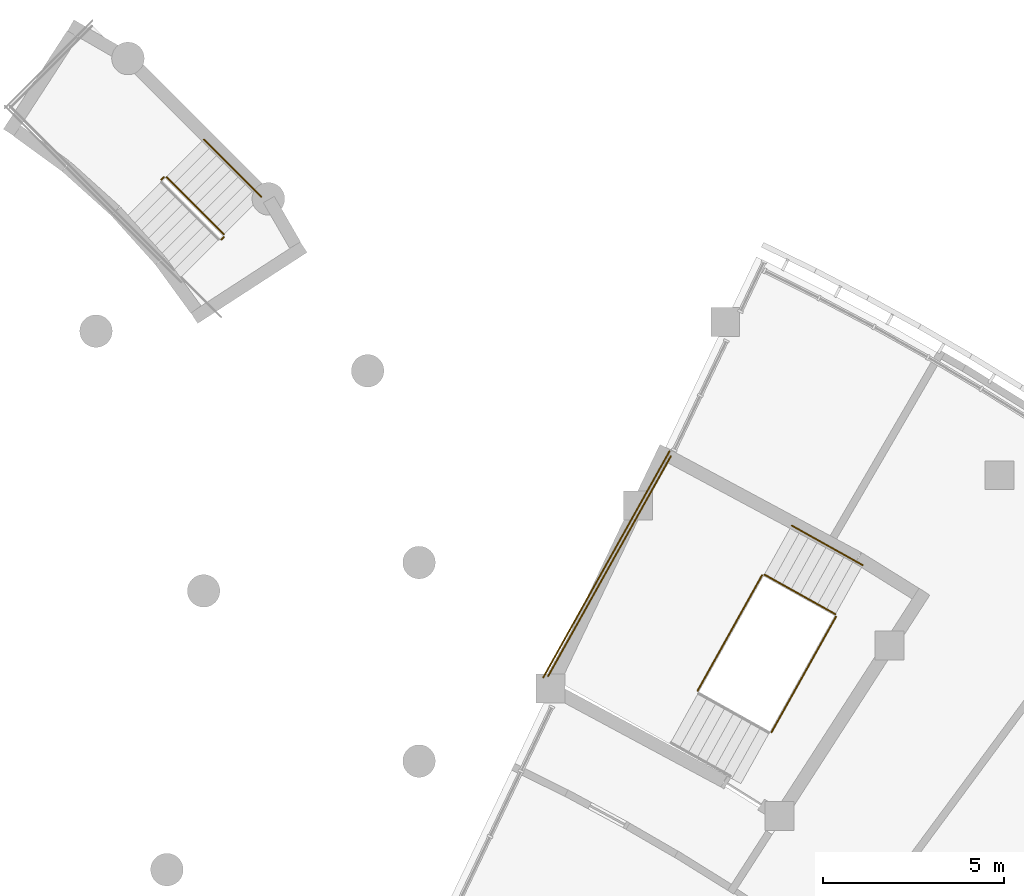
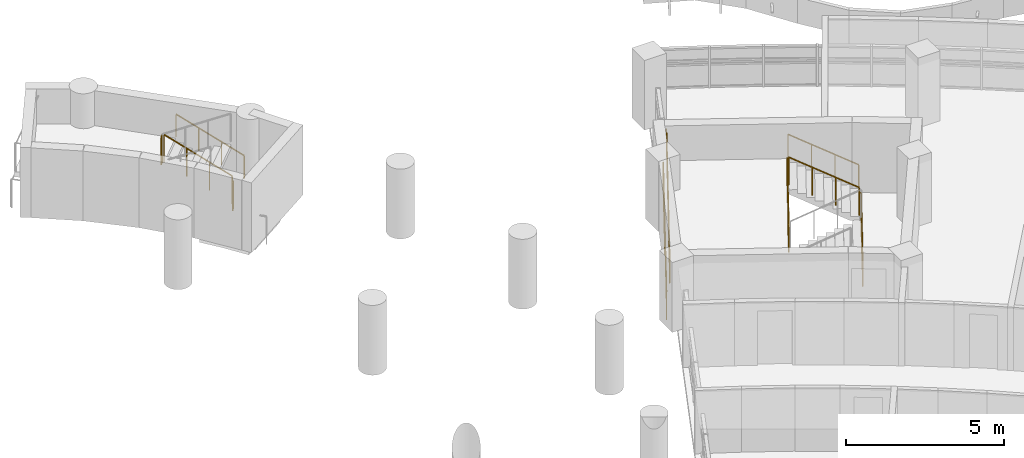
# One storey, part 81 of 89: 10 railings.
"""IFC4 building model written with IfcOpenShell, lengths in metres."""

import ifcopenshell
import ifcopenshell.guid

model = None  # the IFC model being written
_history = None  # IfcOwnerHistory: only IFC2X3 demands one
_inside = {}  # id of a spatial element -> (the spatial element, [elements in it])
_under = {}  # id of a project, library or spatial element -> (it, [spatial elements below it])
_declared = {}  # id of a project -> (the project, [libraries it declares])
_typed = {}  # id of a type object -> (the type object, [elements of that type])
_made_of = {}  # id of a material, layer set ... -> (it, [elements and type objects made of it])


def new_model(schema):
    """Start an empty IFC model of exactly this schema.

    Asked for "IFC4X3", IfcOpenShell would pick the latest addendum, in which some entities
    have other attributes; the version numbers below select the first issue.
    IFC2X3 requires an IfcOwnerHistory on every rooted entity: one is made here for all.
    """
    global model, _history
    if schema == "IFC4X3":
        model = ifcopenshell.file(schema_version=(4, 3, 0, 0))
    else:
        model = ifcopenshell.file(schema=schema)
    _inside.clear()
    _under.clear()
    _declared.clear()
    _typed.clear()
    _made_of.clear()
    _history = None
    if model.schema == "IFC2X3":
        org = make("IfcOrganization", Name="unknown")
        user = make(
            "IfcPersonAndOrganization",
            ThePerson=make("IfcPerson", FamilyName="unknown"),
            TheOrganization=org,
        )
        app = make(
            "IfcApplication",
            ApplicationDeveloper=org,
            Version="unknown",
            ApplicationFullName="unknown",
            ApplicationIdentifier="unknown",
        )
        _history = make(
            "IfcOwnerHistory",
            OwningUser=user,
            OwningApplication=app,
            ChangeAction="ADDED",
            CreationDate=0,
        )
    return model


def make(cls, **values):
    """One entity of the class cls with the attributes given. An attribute that is None is left unset."""
    return model.create_entity(
        cls, **{name: value for name, value in values.items() if value is not None}
    )


def rooted(cls, **values):
    """An entity with a GlobalId (a new one), such as an element, a storey or a relation."""
    return make(cls, GlobalId=ifcopenshell.guid.new(), OwnerHistory=_history, **values)


def si_unit(unit_type, name, prefix=None):
    """IfcSIUnit, for example si_unit("LENGTHUNIT", "METRE", prefix="MILLI")."""
    return make("IfcSIUnit", UnitType=unit_type, Prefix=prefix, Name=name)


def assignment(units):
    """IfcUnitAssignment: the units of a project."""
    return None if units is None else make("IfcUnitAssignment", Units=units)


def point(xyz):
    """IfcCartesianPoint."""
    return None if xyz is None else make("IfcCartesianPoint", Coordinates=xyz)


def direction(xyz):
    """IfcDirection."""
    return None if xyz is None else make("IfcDirection", DirectionRatios=xyz)


def frame(location, z_axis=None, x_axis=None):
    """IfcAxis2Placement3D, a coordinate frame: its origin and axes. An axis left out is left unset."""
    return make(
        "IfcAxis2Placement3D",
        Location=point(location),
        Axis=direction(z_axis),
        RefDirection=direction(x_axis),
    )


def frame_2d(location, x_axis=None):
    """IfcAxis2Placement2D, a coordinate frame in the plane: its origin and x axis."""
    return make(
        "IfcAxis2Placement2D", Location=point(location), RefDirection=direction(x_axis)
    )


def origin():
    """The frame at (0, 0, 0) with its axes left unset."""
    return frame((0.0, 0.0, 0.0))


def origin_2d():
    """The frame at (0, 0) in the plane with its x axis left unset."""
    return frame_2d((0.0, 0.0))


def place(relative_to, where):
    """IfcLocalPlacement: puts the frame where relative to a parent placement (None: the world)."""
    return make(
        "IfcLocalPlacement", PlacementRelTo=relative_to, RelativePlacement=where
    )


def context(
    kind, dimensions, precision=None, world=None, true_north=None, identifier=None
):
    """IfcGeometricRepresentationContext, for example the 3D "Model" context."""
    return make(
        "IfcGeometricRepresentationContext",
        ContextIdentifier=identifier,
        ContextType=kind,
        CoordinateSpaceDimension=dimensions,
        Precision=precision,
        WorldCoordinateSystem=world,
        TrueNorth=true_north,
    )


def subcontext(parent, identifier, kind, view, scale=None):
    """IfcGeometricRepresentationSubContext, for example "Body" below "Model"."""
    return make(
        "IfcGeometricRepresentationSubContext",
        ContextIdentifier=identifier,
        ContextType=kind,
        ParentContext=parent,
        TargetScale=scale,
        TargetView=view,
    )


def project(units=None, contexts=None):
    """IfcProject with its units and contexts."""
    return rooted(
        "IfcProject",
        Name="project",
        RepresentationContexts=contexts,
        UnitsInContext=assignment(units),
    )


def spatial(cls, under=None, at=None, **own):
    """A site, building, storey or space (cls), placed at a placement, below another one or the project."""
    s = rooted(cls, ObjectPlacement=at, **own)
    if under is not None:
        _under.setdefault(under.id(), (under, []))[1].append(s)
    return s


def profile(cls, at=None, kind="AREA", **sizes):
    """A parametric profile (cls). Its sizes go by their IFC names, for example OverallWidth=200.0."""
    return make(cls, ProfileType=kind, Position=at, **sizes)


def circle(**sizes):
    """IfcCircleProfileDef."""
    return profile("IfcCircleProfileDef", **sizes)


def extrude(swept, where, along, depth):
    """IfcExtrudedAreaSolid: the profile swept, set in the frame where, extruded along a direction by depth."""
    return make(
        "IfcExtrudedAreaSolid",
        SweptArea=swept,
        Position=where,
        ExtrudedDirection=direction(along),
        Depth=depth,
    )


def shape(context_of_items, identifier, shape_type, items):
    """IfcShapeRepresentation: the items that make up one representation, for example the "Body"."""
    return make(
        "IfcShapeRepresentation",
        ContextOfItems=context_of_items,
        RepresentationIdentifier=identifier,
        RepresentationType=shape_type,
        Items=items,
    )


def material(Name=None, Category=None):
    """IfcMaterial."""
    return make("IfcMaterial", Name=Name, Category=Category)


def made_of(thing, what):
    """Note that an element or type object is made of a material, layer set ...; save() writes the relation."""
    if what is not None:
        _made_of.setdefault(what.id(), (what, []))[1].append(thing)
    return thing


def type_object(cls, material=None, **own):
    """A type object (cls), such as IfcWallType, which elements share."""
    return made_of(rooted(cls, **own), material)


def element(
    cls,
    number,
    at=None,
    inside=None,
    cuts=None,
    type_object=None,
    material=None,
    context=None,
    identifier="Body",
    shape_type=None,
    held_by="IfcProductDefinitionShape",
    body=None,
    shapes=None,
    **own,
):
    """One element of the class cls, such as IfcWall. Its Tag is "e" and its number.

    at: its placement. inside: the storey or other place that contains it. cuts: it is an
    opening in that element (IfcRelVoidsElement). A single representation is given by context,
    identifier, shape_type and body (its items); several are given by shapes. held_by: the class
    of the entity that holds the representations. save() writes the other relations.
    """
    e = rooted(cls, Tag="e%d" % number, ObjectPlacement=at, **own)
    if body is not None:
        shapes = [shape(context, identifier, shape_type, body)]
    if shapes is not None:
        e.Representation = make(held_by, Representations=shapes)
    if inside is not None:
        _inside.setdefault(inside.id(), (inside, []))[1].append(e)
    if cuts is not None:
        rooted(
            "IfcRelVoidsElement", RelatingBuildingElement=cuts, RelatedOpeningElement=e
        )
    if type_object is not None:
        _typed.setdefault(type_object.id(), (type_object, []))[1].append(e)
    return made_of(e, material)


def aggregate(whole, parts):
    """IfcRelAggregates: a whole, such as a stair, and the parts it consists of."""
    return rooted("IfcRelAggregates", RelatingObject=whole, RelatedObjects=parts)


def save(model, path):
    """Write the relations noted so far, then the file.

    IfcRelAggregates (storeys below a building ...), IfcRelContainedInSpatialStructure (elements
    in a storey), IfcRelDefinesByType, IfcRelAssociatesMaterial and IfcRelDeclares: one each for
    every whole, place, type object, material and project.
    """
    for whole, parts in _under.values():
        aggregate(whole, parts)
    for where, things in _inside.values():
        rooted(
            "IfcRelContainedInSpatialStructure",
            RelatedElements=things,
            RelatingStructure=where,
        )
    for kind, things in _typed.values():
        rooted("IfcRelDefinesByType", RelatedObjects=things, RelatingType=kind)
    for what, things in _made_of.values():
        rooted("IfcRelAssociatesMaterial", RelatedObjects=things, RelatingMaterial=what)
    for by, libraries in _declared.values():
        rooted("IfcRelDeclares", RelatingContext=by, RelatedDefinitions=libraries)
    model.write(path)


model = new_model("IFC4")

# Units and contexts
model_context = context("Model", 3, precision=1e-05, world=origin(), true_north=direction((0.0, 1.0)))
body_context = subcontext(model_context, "Body", "Model", "MODEL_VIEW")
ifc_project = project(units=[si_unit("LENGTHUNIT", "METRE"), si_unit("AREAUNIT", "SQUARE_METRE"), si_unit("VOLUMEUNIT", "CUBIC_METRE"), si_unit("PLANEANGLEUNIT", "RADIAN"), si_unit("MASSUNIT", "GRAM", prefix="KILO")], contexts=[model_context])

# Site, building, storey
site_placement = place(None, origin())
site = spatial("IfcSite", under=ifc_project, at=site_placement, CompositionType="ELEMENT")
building_placement = place(site_placement, origin())
building = spatial("IfcBuilding", under=site, at=building_placement, Name="Bougainvillea Quay General Hospital", CompositionType="ELEMENT")
storey_placement = place(building_placement, frame((0.0, 0.0, 9.89990234375)))
storey = spatial("IfcBuildingStorey", under=building, at=storey_placement, Name="L01M", CompositionType="ELEMENT", Elevation=9.89990234375)

# Railings
ifc_material_1 = material(Name="Stainless steel 304 balustrade", Category="steel")
railing_type_1 = type_object("IfcRailingType", Name="Stair guard 1100", PredefinedType="GUARDRAIL", material=ifc_material_1)
railing_1_placement = place(storey_placement, frame((141.514404296875, 75.31591796875, 0.150146484375)))
element("IfcRailing", 1, at=railing_1_placement, inside=storey, type_object=railing_type_1, Name="L01M ST-E1 stair guard 1", PredefinedType="GUARDRAIL", context=body_context, shape_type="SweptSolid", body=[
    extrude(circle(Radius=0.02392578125, at=origin_2d()), frame((0.0, 0.0, 1.076171875), z_axis=(-0.769818089908, 0.429438020952, 0.472189680756), x_axis=(-0.487169027599, -0.87330769981, 0.0)), (0.0, 0.0, 1.0), 2.541259765625),
    extrude(circle(Radius=0.02099609375, at=origin_2d()), origin(), (0.0, 0.0, 1.0), 1.052001953125),
    extrude(circle(Radius=0.02099609375, at=origin_2d()), frame((-0.652099609375, 0.36376953125, 0.39990234375)), (0.0, 0.0, 1.0), 1.052001953125),
    extrude(circle(Radius=0.02099609375, at=origin_2d()), frame((-1.30419921875, 0.7275390625, 0.800048828125)), (0.0, 0.0, 1.0), 1.052001953125),
    extrude(circle(Radius=0.02099609375, at=origin_2d()), frame((-1.956298828125, 1.09130859375, 1.199951171875)), (0.0, 0.0, 1.0), 1.052001953125),
])
railing_2_placement = place(storey_placement, frame((139.490234375, 76.3876953125, 1.35009765625)))
element("IfcRailing", 2, at=railing_2_placement, inside=storey, type_object=railing_type_1, Name="L01M ST-E1 stair guard 2", PredefinedType="GUARDRAIL", context=body_context, shape_type="SweptSolid", body=[
    extrude(circle(Radius=0.02392578125, at=origin_2d()), frame((0.0, 0.0, 1.076171875), z_axis=(-0.487183857125, -0.873299427091, 0.0), x_axis=(0.873299427091, -0.487183857125, 0.0)), (0.0, 0.0, 1.0), 3.6572265625),
    extrude(circle(Radius=0.02099609375, at=origin_2d()), origin(), (0.0, 0.0, 1.0), 1.052001953125),
    extrude(circle(Radius=0.02099609375, at=origin_2d()), frame((-0.4453125, -0.79833984375, 0.0)), (0.0, 0.0, 1.0), 1.052001953125),
    extrude(circle(Radius=0.02099609375, at=origin_2d()), frame((-0.890869140625, -1.596923828125, 0.0)), (0.0, 0.0, 1.0), 1.052001953125),
    extrude(circle(Radius=0.02099609375, at=origin_2d()), frame((-1.33642578125, -2.3955078125, 0.0)), (0.0, 0.0, 1.0), 1.052001953125),
    extrude(circle(Radius=0.02099609375, at=origin_2d()), frame((-1.78173828125, -3.19384765625, 0.0)), (0.0, 0.0, 1.0), 1.052001953125),
])
railing_3_placement = place(storey_placement, frame((136.9755859375, 79.679931640625, 1.35009765625)))
element("IfcRailing", 3, at=railing_3_placement, inside=storey, type_object=railing_type_1, Name="L01M ST-E1 stair guard 3", PredefinedType="GUARDRAIL", context=body_context, shape_type="SweptSolid", body=[
    extrude(circle(Radius=0.02392578125, at=origin_2d()), frame((0.0, 0.0, 1.076171875), z_axis=(-0.487209347001, -0.873285206674, 0.0), x_axis=(0.873285206674, -0.487209347001, 0.0)), (0.0, 0.0, 1.0), 6.957275390625),
    extrude(circle(Radius=0.02099609375, at=origin_2d()), origin(), (0.0, 0.0, 1.0), 1.052001953125),
    extrude(circle(Radius=0.02099609375, at=origin_2d()), frame((-0.56494140625, -1.0126953125, 0.0)), (0.0, 0.0, 1.0), 1.052001953125),
    extrude(circle(Radius=0.02099609375, at=origin_2d()), frame((-1.1298828125, -2.025146484375, 0.0)), (0.0, 0.0, 1.0), 1.052001953125),
    extrude(circle(Radius=0.02099609375, at=origin_2d()), frame((-1.69482421875, -3.037841796875, 0.0)), (0.0, 0.0, 1.0), 1.052001953125),
    extrude(circle(Radius=0.02099609375, at=origin_2d()), frame((-2.259765625, -4.050537109375, 0.0)), (0.0, 0.0, 1.0), 1.052001953125),
    extrude(circle(Radius=0.02099609375, at=origin_2d()), frame((-2.82470703125, -5.06298828125, 0.0)), (0.0, 0.0, 1.0), 1.052001953125),
    extrude(circle(Radius=0.02099609375, at=origin_2d()), frame((-3.3896484375, -6.07568359375, 0.0)), (0.0, 0.0, 1.0), 1.052001953125),
])
railing_4_placement = place(storey_placement, frame((141.53369140625, 75.247802734375, 0.0)))
element("IfcRailing", 4, at=railing_4_placement, inside=storey, type_object=railing_type_1, Name="L01M ST-E1 stair guard 5", PredefinedType="GUARDRAIL", context=body_context, shape_type="SweptSolid", body=[
    extrude(circle(Radius=0.02392578125, at=origin_2d()), frame((0.0, 0.0, 1.076171875), z_axis=(-0.487183857125, -0.873299427091, 0.0), x_axis=(0.873299427091, -0.487183857125, 0.0)), (0.0, 0.0, 1.0), 3.6572265625),
    extrude(circle(Radius=0.02099609375, at=origin_2d()), origin(), (0.0, 0.0, 1.0), 1.052001953125),
    extrude(circle(Radius=0.02099609375, at=origin_2d()), frame((-0.4453125, -0.79833984375, 0.0)), (0.0, 0.0, 1.0), 1.052001953125),
    extrude(circle(Radius=0.02099609375, at=origin_2d()), frame((-0.890869140625, -1.596923828125, 0.0)), (0.0, 0.0, 1.0), 1.052001953125),
    extrude(circle(Radius=0.02099609375, at=origin_2d()), frame((-1.33642578125, -2.3955078125, 0.0)), (0.0, 0.0, 1.0), 1.052001953125),
    extrude(circle(Radius=0.02099609375, at=origin_2d()), frame((-1.78173828125, -3.19384765625, 0.0)), (0.0, 0.0, 1.0), 1.052001953125),
])
railing_5_placement = place(storey_placement, frame((136.93701171875, 79.816162109375, 0.0)))
element("IfcRailing", 5, at=railing_5_placement, inside=storey, type_object=railing_type_1, Name="L01M ST-E1 stair guard 6", PredefinedType="GUARDRAIL", context=body_context, shape_type="SweptSolid", body=[
    extrude(circle(Radius=0.02392578125, at=origin_2d()), frame((0.0, 0.0, 1.076171875), z_axis=(-0.48719739913, -0.873291872332, 0.0), x_axis=(0.873291872332, -0.48719739913, 0.0)), (0.0, 0.0, 1.0), 7.157470703125),
    extrude(circle(Radius=0.02099609375, at=origin_2d()), origin(), (0.0, 0.0, 1.0), 1.052001953125),
    extrude(circle(Radius=0.02099609375, at=origin_2d()), frame((-0.5810546875, -1.041748046875, 0.0)), (0.0, 0.0, 1.0), 1.052001953125),
    extrude(circle(Radius=0.02099609375, at=origin_2d()), frame((-1.162353515625, -2.08349609375, 0.0)), (0.0, 0.0, 1.0), 1.052001953125),
    extrude(circle(Radius=0.02099609375, at=origin_2d()), frame((-1.74365234375, -3.125244140625, 0.0)), (0.0, 0.0, 1.0), 1.052001953125),
    extrude(circle(Radius=0.02099609375, at=origin_2d()), frame((-2.32470703125, -4.1669921875, 0.0)), (0.0, 0.0, 1.0), 1.052001953125),
    extrude(circle(Radius=0.02099609375, at=origin_2d()), frame((-2.90576171875, -5.208740234375, 0.0)), (0.0, 0.0, 1.0), 1.052001953125),
    extrude(circle(Radius=0.02099609375, at=origin_2d()), frame((-3.487060546875, -6.25048828125, 0.0)), (0.0, 0.0, 1.0), 1.052001953125),
])
railing_6_placement = place(storey_placement, frame((124.62939453125, 85.80078125, 0.150146484375)))
element("IfcRailing", 6, at=railing_6_placement, inside=storey, type_object=railing_type_1, Name="L01M ST-H1 stair guard 1", PredefinedType="GUARDRAIL", context=body_context, shape_type="SweptSolid", body=[
    extrude(circle(Radius=0.02392578125, at=origin_2d()), frame((0.0, 0.0, 1.076171875), z_axis=(-0.623311839361, 0.623311839361, 0.472191382623), x_axis=(-0.707106781187, -0.707106781187, 0.0)), (0.0, 0.0, 1.0), 2.541259765625),
    extrude(circle(Radius=0.02099609375, at=origin_2d()), origin(), (0.0, 0.0, 1.0), 1.052001953125),
    extrude(circle(Radius=0.02099609375, at=origin_2d()), frame((-0.528076171875, 0.528076171875, 0.39990234375)), (0.0, 0.0, 1.0), 1.052001953125),
    extrude(circle(Radius=0.02099609375, at=origin_2d()), frame((-1.055908203125, 1.055908203125, 0.800048828125)), (0.0, 0.0, 1.0), 1.052001953125),
    extrude(circle(Radius=0.02099609375, at=origin_2d()), frame((-1.583984375, 1.583984375, 1.199951171875)), (0.0, 0.0, 1.0), 1.052001953125),
])
railing_7_placement = place(storey_placement, frame((122.974853515625, 87.384765625, 1.35009765625)))
element("IfcRailing", 7, at=railing_7_placement, inside=storey, type_object=railing_type_1, Name="L01M ST-H1 stair guard 2", PredefinedType="GUARDRAIL", context=body_context, shape_type="SweptSolid", body=[
    extrude(circle(Radius=0.02392578125, at=origin_2d()), frame((0.0, 0.0, 1.076171875), z_axis=(-0.707106781187, -0.707106781187, 0.0), x_axis=(0.707106781187, -0.707106781187, 0.0)), (0.0, 0.0, 1.0), 0.10009765625),
    extrude(circle(Radius=0.02099609375, at=origin_2d()), origin(), (0.0, 0.0, 1.0), 1.052001953125),
    extrude(circle(Radius=0.02099609375, at=origin_2d()), frame((-0.07080078125, -0.07080078125, 0.0)), (0.0, 0.0, 1.0), 1.052001953125),
])
railing_8_placement = place(storey_placement, frame((124.62939453125, 85.72998046875, 0.0)))
element("IfcRailing", 8, at=railing_8_placement, inside=storey, type_object=railing_type_1, Name="L01M ST-H1 stair guard 6", PredefinedType="GUARDRAIL", context=body_context, shape_type="SweptSolid", body=[
    extrude(circle(Radius=0.02392578125, at=origin_2d()), frame((0.0, 0.0, 1.076171875), z_axis=(-0.707106781187, -0.707106781187, 0.0), x_axis=(0.707106781187, -0.707106781187, 0.0)), (0.0, 0.0, 1.0), 0.099853515625),
    extrude(circle(Radius=0.02099609375, at=origin_2d()), origin(), (0.0, 0.0, 1.0), 1.052001953125),
    extrude(circle(Radius=0.02099609375, at=origin_2d()), frame((-0.070556640625, -0.070556640625, 0.0)), (0.0, 0.0, 1.0), 1.052001953125),
])
ifc_material_2 = material(Name="Stainless steel 304 handrail", Category="steel")
railing_type_2 = type_object("IfcRailingType", Name="Stair handrail 900", PredefinedType="HANDRAIL", material=ifc_material_2)
railing_9_placement = place(storey_placement, frame((142.26953125, 76.66943359375, 0.150146484375)))
element("IfcRailing", 9, at=railing_9_placement, inside=storey, type_object=railing_type_2, Name="L01M ST-E1 stair handrail 1", PredefinedType="HANDRAIL", context=body_context, shape_type="SweptSolid", body=[
    extrude(circle(Radius=0.02392578125, at=origin_2d()), frame((0.0, 0.0, 0.8759765625), z_axis=(-0.769778948092, 0.429469782572, 0.472224604327), x_axis=(-0.487215399405, -0.873281829985, 0.0)), (0.0, 0.0, 1.0), 2.541015625),
    extrude(circle(Radius=0.02099609375, at=origin_2d()), origin(), (0.0, 0.0, 1.0), 0.851806640625),
    extrude(circle(Radius=0.02099609375, at=origin_2d()), frame((-0.652099609375, 0.36376953125, 0.39990234375)), (0.0, 0.0, 1.0), 0.851806640625),
    extrude(circle(Radius=0.02099609375, at=origin_2d()), frame((-1.303955078125, 0.7275390625, 0.800048828125)), (0.0, 0.0, 1.0), 0.851806640625),
    extrude(circle(Radius=0.02099609375, at=origin_2d()), frame((-1.9560546875, 1.09130859375, 1.199951171875)), (0.0, 0.0, 1.0), 0.851806640625),
])
railing_10_placement = place(storey_placement, frame((125.6640625, 86.835205078125, 0.150146484375)))
element("IfcRailing", 10, at=railing_10_placement, inside=storey, type_object=railing_type_2, Name="L01M ST-H1 stair handrail 1", PredefinedType="HANDRAIL", context=body_context, shape_type="SweptSolid", body=[
    extrude(circle(Radius=0.02392578125, at=origin_2d()), frame((0.0, 0.0, 0.8759765625), z_axis=(-0.623311839361, 0.623311839361, 0.472191382623), x_axis=(-0.707106781187, -0.707106781187, 0.0)), (0.0, 0.0, 1.0), 2.541259765625),
    extrude(circle(Radius=0.02099609375, at=origin_2d()), origin(), (0.0, 0.0, 1.0), 0.851806640625),
    extrude(circle(Radius=0.02099609375, at=origin_2d()), frame((-0.528076171875, 0.528076171875, 0.39990234375)), (0.0, 0.0, 1.0), 0.851806640625),
    extrude(circle(Radius=0.02099609375, at=origin_2d()), frame((-1.055908203125, 1.055908203125, 0.800048828125)), (0.0, 0.0, 1.0), 0.851806640625),
    extrude(circle(Radius=0.02099609375, at=origin_2d()), frame((-1.583984375, 1.583984375, 1.199951171875)), (0.0, 0.0, 1.0), 0.851806640625),
])

save(model, "model.ifc")
